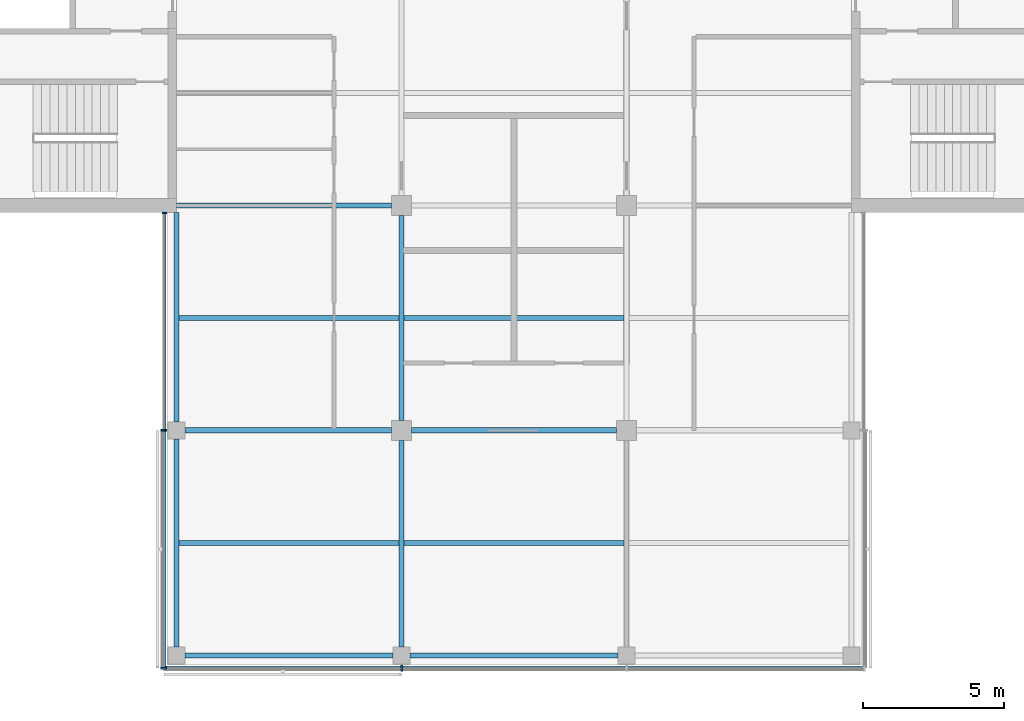
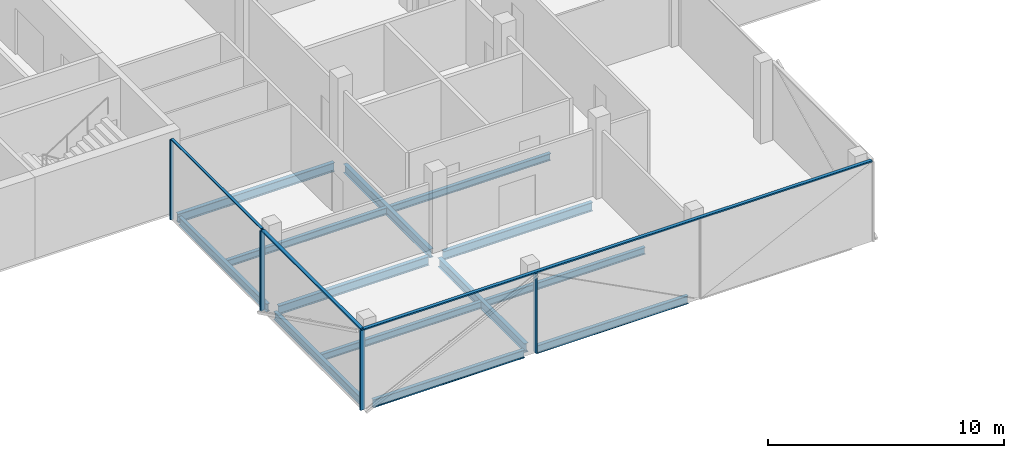
# One storey, part 2 of 16: 13 beams, 8 members, 3 elements without a shape of their own.
"""IFC4 building model written with IfcOpenShell, lengths in metres."""

from ifc_helpers import new_model, si_unit, direction, frame, origin, origin_2d, place, context, subcontext, project, spatial, rectangle, i_section, extrude, material, material_profile, profile_set, type_object, element, aggregate, save


model = new_model("IFC4")

# Units and contexts
model_context = context("Model", 3, precision=1e-05, world=origin(), true_north=direction((0.0, 1.0)))
body_context = subcontext(model_context, "Body", "Model", "MODEL_VIEW")
ifc_project = project(units=[si_unit("LENGTHUNIT", "METRE"), si_unit("AREAUNIT", "SQUARE_METRE"), si_unit("VOLUMEUNIT", "CUBIC_METRE"), si_unit("PLANEANGLEUNIT", "RADIAN"), si_unit("MASSUNIT", "GRAM", prefix="KILO")], contexts=[model_context])

# Site, building, storey
site_placement = place(None, origin())
site = spatial("IfcSite", under=ifc_project, at=site_placement, CompositionType="ELEMENT")
building_placement = place(site_placement, origin())
building = spatial("IfcBuilding", under=site, at=building_placement, Name="Crosswind Convention Tower", CompositionType="ELEMENT")
storey_placement = place(building_placement, frame((0.0, 0.0, 278.699951171875)))
storey = spatial("IfcBuildingStorey", under=building, at=storey_placement, Name="L60", CompositionType="ELEMENT", Elevation=278.699951171875)

# Beams
ifc_material_1 = material(Name="Steel S355", Category="steel")
ifc_material_profile_1 = material_profile(ifc_material_1, i_section(OverallWidth=0.177734375, OverallDepth=0.406494140625, WebThickness=0.0078125, FlangeThickness=0.0126953125, FilletRadius=0.01025390625, at=origin_2d()), Name="UB 406x178x60")
ifc_profile_set_1 = profile_set([ifc_material_profile_1], Name="Steel S355")
beam_type_1 = type_object("IfcBeamType", Name="Edge beam UB 406x178x60", PredefinedType="SPANDREL", material=ifc_profile_set_1)
beam_1_placement = place(storey_placement, frame((113.0, 72.300048828125, -0.503173828125), z_axis=(0.0, 1.0, 0.0), x_axis=(-1.0, 0.0, 0.0)))
element("IfcBeam", 1, at=beam_1_placement, inside=storey, type_object=beam_type_1, Name="B15 L60 edge beam 1", PredefinedType="SPANDREL", context=body_context, shape_type="SweptSolid", body=[
    extrude(i_section(OverallWidth=0.177734375, OverallDepth=0.406494140625, WebThickness=0.0078125, FlangeThickness=0.0126953125, FilletRadius=0.01025390625, at=origin_2d()), origin(), (0.0, 0.0, 1.0), 7.39990234375),
])
beam_2_placement = place(storey_placement, frame((113.0, 80.300048828125, -0.503173828125), z_axis=(0.0, 1.0, 0.0), x_axis=(-1.0, 0.0, 0.0)))
element("IfcBeam", 2, at=beam_2_placement, inside=storey, type_object=beam_type_1, Name="B15 L60 edge beam 2", PredefinedType="SPANDREL", context=body_context, shape_type="SweptSolid", body=[
    extrude(i_section(OverallWidth=0.177734375, OverallDepth=0.406494140625, WebThickness=0.0078125, FlangeThickness=0.0126953125, FilletRadius=0.01025390625, at=origin_2d()), origin(), (0.0, 0.0, 1.0), 7.449951171875),
])
for number, where, z_axis, x_axis, name in (
    (3, (113.300048828125, 72.0, -0.503173828125), (1.0, 0.0, 0.0), (0.0, 1.0, 0.0), "B15 L60 edge beam 5"),
    (4, (121.300048828125, 72.0, -0.503173828125), (1.0, 0.0, 0.0), (0.0, 1.0, 0.0), "B15 L60 edge beam 7"),
):
    element("IfcBeam", number, at=place(storey_placement, frame(where, z_axis=z_axis, x_axis=x_axis)), inside=storey, type_object=beam_type_1, Name=name, PredefinedType="SPANDREL", context=body_context, shape_type="SweptSolid", body=[
        extrude(i_section(OverallWidth=0.177734375, OverallDepth=0.406494140625, WebThickness=0.0078125, FlangeThickness=0.0126953125, FilletRadius=0.01025390625, at=origin_2d()), origin(), (0.0, 0.0, 1.0), 7.39990234375),
    ])
ifc_material_profile_2 = material_profile(ifc_material_1, i_section(OverallWidth=0.18994140625, OverallDepth=0.45361328125, WebThickness=0.008544921875, FlangeThickness=0.0126953125, FilletRadius=0.01025390625, at=origin_2d()), Name="UB 457x191x67")
ifc_profile_set_2 = profile_set([ifc_material_profile_2], Name="Steel S355")
beam_type_2 = type_object("IfcBeamType", Name="Girder UB 457x191x67", PredefinedType="BEAM", material=ifc_profile_set_2)
for number, where, z_axis, x_axis, name in (
    (5, (113.300048828125, 80.0, -0.52685546875), (1.0, 0.0, 0.0), (0.0, 1.0, 0.0), "B1 L60 girder 1"),
    (6, (121.0, 72.300048828125, -0.52685546875), (0.0, 1.0, 0.0), (-1.0, 0.0, 0.0), "B1 L60 girder 3"),
):
    element("IfcBeam", number, at=place(storey_placement, frame(where, z_axis=z_axis, x_axis=x_axis)), inside=storey, type_object=beam_type_2, Name=name, PredefinedType="BEAM", context=body_context, shape_type="SweptSolid", body=[
        extrude(i_section(OverallWidth=0.18994140625, OverallDepth=0.45361328125, WebThickness=0.008544921875, FlangeThickness=0.0126953125, FilletRadius=0.01025390625, at=origin_2d()), origin(), (0.0, 0.0, 1.0), 7.349853515625),
    ])
for number, where, z_axis, x_axis, name in (
    (7, (121.0, 80.35009765625, -0.52685546875), (0.0, 1.0, 0.0), (-1.0, 0.0, 0.0), "B1 L60 girder 4"),
    (8, (121.35009765625, 80.0, -0.52685546875), (1.0, 0.0, 0.0), (0.0, 1.0, 0.0), "B1 L60 girder 10"),
):
    element("IfcBeam", number, at=place(storey_placement, frame(where, z_axis=z_axis, x_axis=x_axis)), inside=storey, type_object=beam_type_2, Name=name, PredefinedType="BEAM", context=body_context, shape_type="SweptSolid", body=[
        extrude(i_section(OverallWidth=0.18994140625, OverallDepth=0.45361328125, WebThickness=0.008544921875, FlangeThickness=0.0126953125, FilletRadius=0.01025390625, at=origin_2d()), origin(), (0.0, 0.0, 1.0), 7.2998046875),
    ])
ifc_material_profile_3 = material_profile(ifc_material_1, i_section(OverallWidth=0.1904296875, OverallDepth=0.457275390625, WebThickness=0.009033203125, FlangeThickness=0.014404296875, FilletRadius=0.01025390625, at=origin_2d()), Name="UB 457x191x75")
ifc_profile_set_3 = profile_set([ifc_material_profile_3], Name="Steel S355")
beam_type_3 = type_object("IfcBeamType", Name="Girder at core wall UB 457x191x75", PredefinedType="BEAM", material=ifc_profile_set_3)
beam_3_placement = place(storey_placement, frame((113.0, 88.0, -0.528564453125), z_axis=(1.0, 0.0, 0.0), x_axis=(0.0, 1.0, 0.0)))
element("IfcBeam", 9, at=beam_3_placement, inside=storey, type_object=beam_type_3, Name="B22 L60 girder at core wall 1", PredefinedType="BEAM", context=body_context, shape_type="SweptSolid", body=[
    extrude(i_section(OverallWidth=0.1904296875, OverallDepth=0.457275390625, WebThickness=0.009033203125, FlangeThickness=0.014404296875, FilletRadius=0.01025390625, at=origin_2d()), origin(), (0.0, 0.0, 1.0), 7.64990234375),
])

# Curtain wall, members
ifc_material_2 = material(Name="Aluminium unitised curtain wall", Category="aluminium")
curtain_wall_type_1 = type_object("IfcCurtainWallType", Name="CORE END SLOT WALL 160", PredefinedType="USERDEFINED", material=ifc_material_2)
curtain_wall_1_placement = place(storey_placement, origin())
curtain_wall_1 = element("IfcCurtainWall", 10, at=curtain_wall_1_placement, inside=storey, type_object=curtain_wall_type_1, Name="CW6 L60 S-W.1-1 slot", ObjectType="UNITISED", PredefinedType="USERDEFINED")
ifc_material_3 = material(Name="Aluminium mullion", Category="aluminium")
ifc_material_profile_4 = material_profile(ifc_material_3, rectangle(XDim=0.159912109375, YDim=0.050048828125, at=origin_2d()), Name="AL 160X50")
ifc_profile_set_4 = profile_set([ifc_material_profile_4], Name="Aluminium mullion")
member_type_1 = type_object("IfcMemberType", Name="MULLION 50X160", PredefinedType="MULLION", material=ifc_profile_set_4)
member_1_placement = place(storey_placement, frame((112.570068359375, 87.72509765625, -0.300048828125), z_axis=(0.0, 0.0, 1.0), x_axis=(-1.0, 0.0, 0.0)))
member_1 = element("IfcMember", 11, at=member_1_placement, type_object=member_type_1, Name="CW6 mullion 1", PredefinedType="MULLION", context=body_context, shape_type="SweptSolid", body=[
    extrude(rectangle(XDim=0.159912109375, YDim=0.050048828125, at=origin_2d()), origin(), (0.0, 0.0, 1.0), 4.150146484375),
])
member_2_placement = place(storey_placement, frame((112.570068359375, 80.02490234375, -0.300048828125), z_axis=(0.0, 0.0, 1.0), x_axis=(-1.0, 0.0, 0.0)))
member_2 = element("IfcMember", 12, at=member_2_placement, type_object=member_type_1, Name="CW6 mullion 2", PredefinedType="MULLION", context=body_context, shape_type="SweptSolid", body=[
    extrude(rectangle(XDim=0.159912109375, YDim=0.050048828125, at=origin_2d()), origin(), (0.0, 0.0, 1.0), 4.150146484375),
])

curtain_wall_type_2 = type_object("IfcCurtainWallType", Name="OFFICE UNITISED WALL 220", PredefinedType="USERDEFINED", material=ifc_material_2)
curtain_wall_2_placement = place(storey_placement, origin())
curtain_wall_2 = element("IfcCurtainWall", 13, at=curtain_wall_2_placement, inside=storey, type_object=curtain_wall_type_2, Name="CW3 L60 S-W 1", ObjectType="UNITISED", PredefinedType="USERDEFINED")
ifc_material_profile_5 = material_profile(ifc_material_3, rectangle(XDim=0.219970703125, YDim=0.070068359375, at=origin_2d()), Name="AL 220X70")
ifc_profile_set_5 = profile_set([ifc_material_profile_5], Name="Aluminium mullion")
member_type_2 = type_object("IfcMemberType", Name="MULLION 70X220", PredefinedType="MULLION", material=ifc_profile_set_5)
member_3_placement = place(storey_placement, frame((112.5400390625, 80.0, -0.300048828125), z_axis=(0.0, 0.0, 1.0), x_axis=(-1.0, 0.0, 0.0)))
member_3 = element("IfcMember", 14, at=member_3_placement, type_object=member_type_2, Name="CW3 mullion 1", PredefinedType="MULLION", context=body_context, shape_type="SweptSolid", body=[
    extrude(rectangle(XDim=0.219970703125, YDim=0.070068359375, at=origin_2d()), origin(), (0.0, 0.0, 1.0), 4.130126953125),
])
member_4_placement = place(storey_placement, frame((112.5400390625, 71.5400390625, -0.300048828125), z_axis=(0.0, 0.0, 1.0), x_axis=(-1.0, 0.0, 0.0)))
member_4 = element("IfcMember", 15, at=member_4_placement, type_object=member_type_2, Name="CW3 mullion 2", PredefinedType="MULLION", context=body_context, shape_type="SweptSolid", body=[
    extrude(rectangle(XDim=0.219970703125, YDim=0.070068359375, at=origin_2d()), origin(), (0.0, 0.0, 1.0), 4.130126953125),
])

# Curtain wall, member
curtain_wall_3_placement = place(storey_placement, origin())
curtain_wall_3 = element("IfcCurtainWall", 16, at=curtain_wall_3_placement, inside=storey, type_object=curtain_wall_type_2, Name="CW3 L60 S-TIP 1", ObjectType="UNITISED", PredefinedType="USERDEFINED")
member_5_placement = place(storey_placement, frame((121.0, 71.5400390625, -0.300048828125), z_axis=(0.0, 0.0, 1.0), x_axis=(0.0, -1.0, 0.0)))
member_5 = element("IfcMember", 17, at=member_5_placement, type_object=member_type_2, Name="CW3 mullion 2", PredefinedType="MULLION", context=body_context, shape_type="SweptSolid", body=[
    extrude(rectangle(XDim=0.219970703125, YDim=0.070068359375, at=origin_2d()), origin(), (0.0, 0.0, 1.0), 4.130126953125),
])

# Beams
ifc_material_profile_6 = material_profile(ifc_material_1, i_section(OverallWidth=0.17138671875, OverallDepth=0.355712890625, WebThickness=0.00732421875, FlangeThickness=0.011474609375, FilletRadius=0.01025390625, at=origin_2d()), Name="UB 356x171x51")
ifc_profile_set_6 = profile_set([ifc_material_profile_6], Name="Steel S355")
beam_type_4 = type_object("IfcBeamType", Name="Secondary beam UB 356x171x51", PredefinedType="JOIST", material=ifc_profile_set_6)
for number, where, z_axis, x_axis, name in (
    (18, (113.0888671875, 76.0, -0.477783203125), (1.0, 0.0, 0.0), (0.0, 1.0, 0.0), "B8 L60 secondary beam 4"),
    (19, (113.0888671875, 84.0, -0.477783203125), (1.0, 0.0, 0.0), (0.0, 1.0, 0.0), "B8 L60 secondary beam 5"),
):
    element("IfcBeam", number, at=place(storey_placement, frame(where, z_axis=z_axis, x_axis=x_axis)), inside=storey, type_object=beam_type_4, Name=name, PredefinedType="JOIST", context=body_context, shape_type="SweptSolid", body=[
        extrude(i_section(OverallWidth=0.17138671875, OverallDepth=0.355712890625, WebThickness=0.00732421875, FlangeThickness=0.011474609375, FilletRadius=0.01025390625, at=origin_2d()), origin(), (0.0, 0.0, 1.0), 7.816162109375),
    ])
for number, where, z_axis, x_axis, name in (
    (20, (121.094970703125, 76.0, -0.477783203125), (1.0, 0.0, 0.0), (0.0, 1.0, 0.0), "B8 L60 secondary beam 8"),
    (21, (121.094970703125, 84.0, -0.477783203125), (1.0, 0.0, 0.0), (0.0, 1.0, 0.0), "B8 L60 secondary beam 9"),
):
    element("IfcBeam", number, at=place(storey_placement, frame(where, z_axis=z_axis, x_axis=x_axis)), inside=storey, type_object=beam_type_4, Name=name, PredefinedType="JOIST", context=body_context, shape_type="SweptSolid", body=[
        extrude(i_section(OverallWidth=0.17138671875, OverallDepth=0.355712890625, WebThickness=0.00732421875, FlangeThickness=0.011474609375, FilletRadius=0.01025390625, at=origin_2d()), origin(), (0.0, 0.0, 1.0), 7.81005859375),
    ])

# Member
ifc_material_4 = material(Name="Aluminium transom", Category="aluminium")
ifc_material_profile_7 = material_profile(ifc_material_4, rectangle(XDim=0.1201171875, YDim=0.050048828125, at=origin_2d()), Name="AL 120X50")
ifc_profile_set_7 = profile_set([ifc_material_profile_7], Name="Aluminium transom")
member_type_3 = type_object("IfcMemberType", Name="TRANSOM 50X120", PredefinedType="USERDEFINED", material=ifc_profile_set_7)
member_6_placement = place(storey_placement, frame((112.570068359375, 87.699951171875, 3.875), z_axis=(0.0, -1.0, 0.0), x_axis=(1.0, 0.0, 0.0)))
member_6 = element("IfcMember", 22, at=member_6_placement, type_object=member_type_3, Name="CW6 transom", ObjectType="TRANSOM", PredefinedType="USERDEFINED", context=body_context, shape_type="SweptSolid", body=[
    extrude(rectangle(XDim=0.1201171875, YDim=0.050048828125, at=origin_2d()), origin(), (0.0, 0.0, 1.0), 7.64990234375),
])

aggregate(curtain_wall_1, [member_1, member_2, member_6])

ifc_material_profile_8 = material_profile(ifc_material_4, rectangle(XDim=0.159912109375, YDim=0.070068359375, at=origin_2d()), Name="AL 160X70")
ifc_profile_set_8 = profile_set([ifc_material_profile_8], Name="Aluminium transom")
member_type_4 = type_object("IfcMemberType", Name="TRANSOM 70X160", PredefinedType="USERDEFINED", material=ifc_profile_set_8)
member_7_placement = place(storey_placement, frame((112.5400390625, 79.965087890625, 3.864990234375), z_axis=(0.0, -1.0, 0.0), x_axis=(1.0, 0.0, 0.0)))
member_7 = element("IfcMember", 23, at=member_7_placement, type_object=member_type_4, Name="CW3 transom", ObjectType="TRANSOM", PredefinedType="USERDEFINED", context=body_context, shape_type="SweptSolid", body=[
    extrude(rectangle(XDim=0.159912109375, YDim=0.070068359375, at=origin_2d()), origin(), (0.0, 0.0, 1.0), 8.39013671875),
])

aggregate(curtain_wall_2, [member_3, member_4, member_7])

member_8_placement = place(storey_placement, frame((112.574951171875, 71.5400390625, 3.864990234375), z_axis=(1.0, 0.0, 0.0), x_axis=(0.0, 1.0, 0.0)))
member_8 = element("IfcMember", 24, at=member_8_placement, type_object=member_type_4, Name="CW3 transom", ObjectType="TRANSOM", PredefinedType="USERDEFINED", context=body_context, shape_type="SweptSolid", body=[
    extrude(rectangle(XDim=0.159912109375, YDim=0.070068359375, at=origin_2d()), origin(), (0.0, 0.0, 1.0), 24.85009765625),
])

aggregate(curtain_wall_3, [member_5, member_8])

save(model, "model.ifc")
